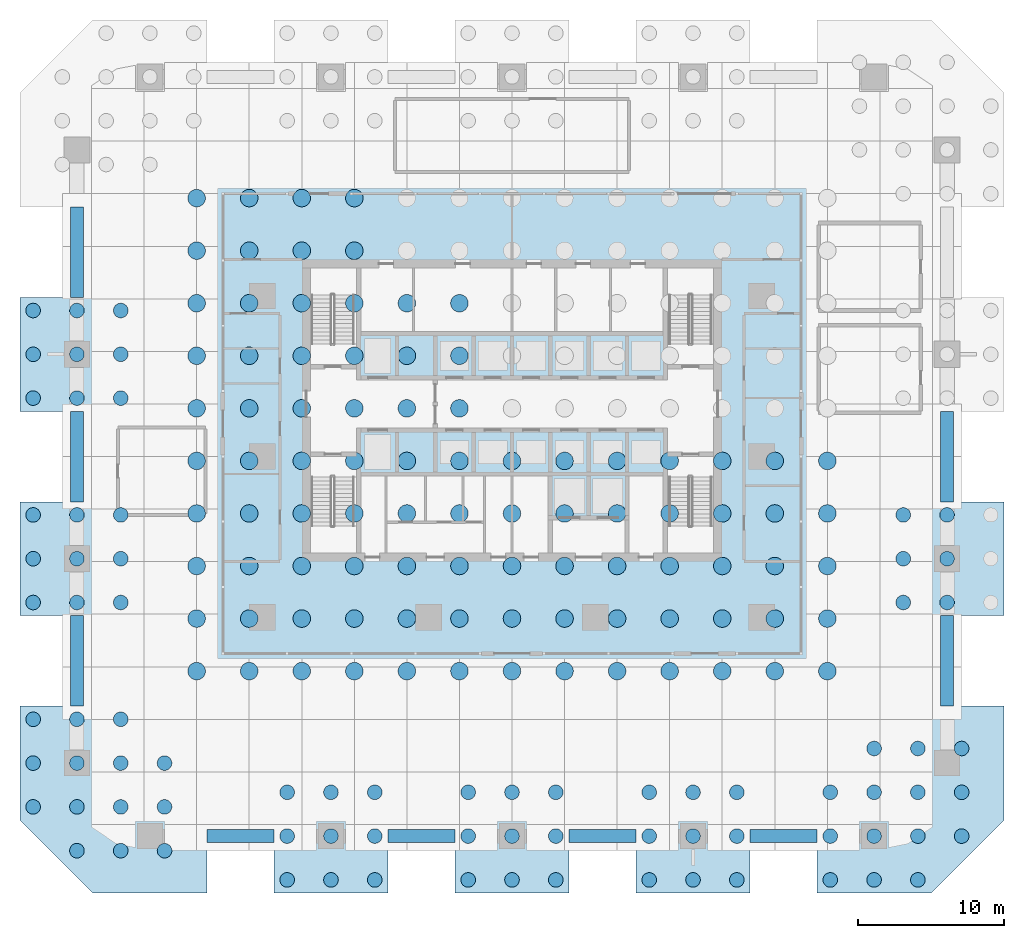
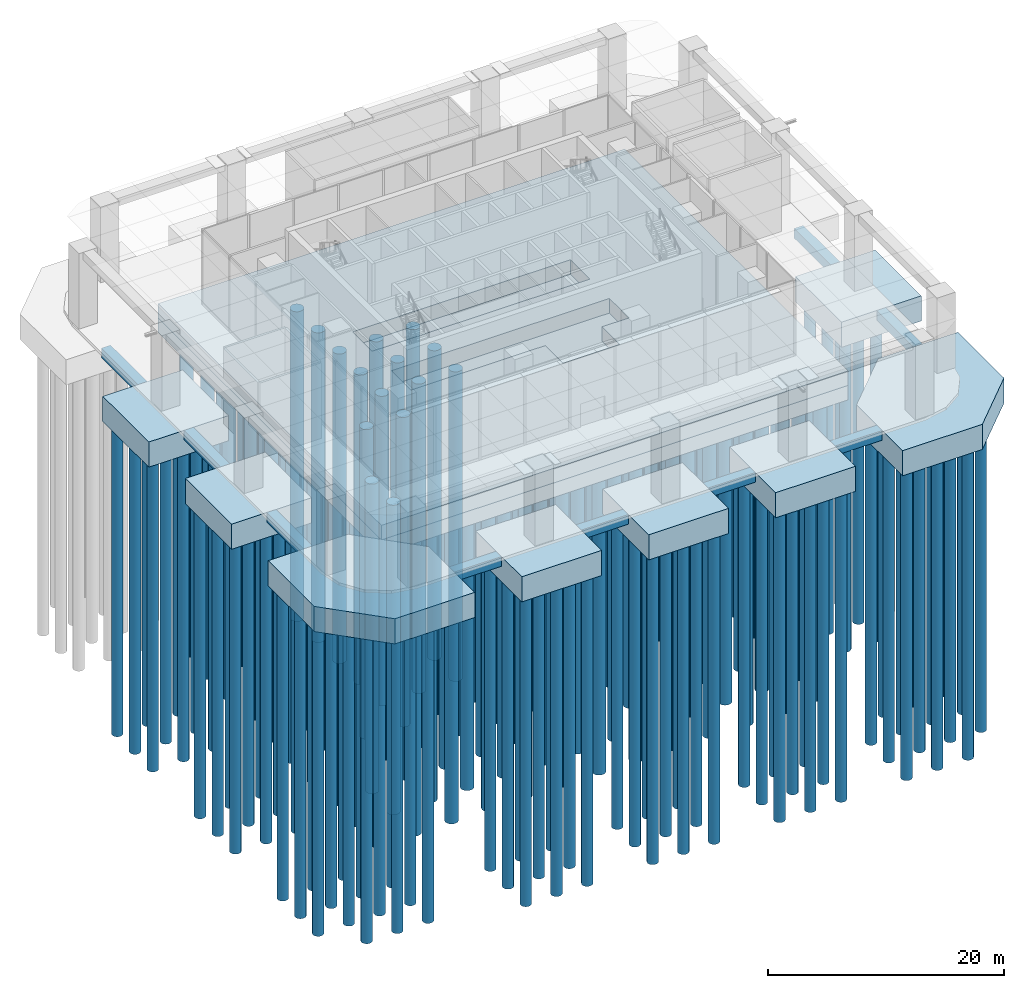
# One storey, part 1 of 18: 170 piles, 19 footings.
"""IFC4 building model written with IfcOpenShell, lengths in metres."""

from ifc_helpers import new_model, si_unit, direction, frame, origin, origin_2d, place, context, subcontext, project, spatial, polyline, circle, outline, extrude, material, layer, layer_set, material_profile, profile_set, type_object, element, save


model = new_model("IFC4")

# Units and contexts
model_context = context("Model", 3, precision=1e-05, world=origin(), true_north=direction((0.0, 1.0)))
body_context = subcontext(model_context, "Body", "Model", "MODEL_VIEW")
ifc_project = project(units=[si_unit("LENGTHUNIT", "METRE"), si_unit("AREAUNIT", "SQUARE_METRE"), si_unit("VOLUMEUNIT", "CUBIC_METRE"), si_unit("PLANEANGLEUNIT", "RADIAN"), si_unit("MASSUNIT", "GRAM", prefix="KILO")], contexts=[model_context])

# Site, building, storey
site_placement = place(None, origin())
site = spatial("IfcSite", under=ifc_project, at=site_placement, CompositionType="ELEMENT")
building_placement = place(site_placement, origin())
building = spatial("IfcBuilding", under=site, at=building_placement, Name="Mopane Tessera Tower", CompositionType="ELEMENT")
storey_placement = place(building_placement, origin())
storey = spatial("IfcBuildingStorey", under=building, at=storey_placement, Name="L00", CompositionType="ELEMENT", Elevation=0.0)

# Piles
ifc_material_1 = material(Name="Concrete C35/45", Category="concrete")
ifc_material_profile_1 = material_profile(ifc_material_1, circle(Radius=0.5, at=origin_2d()))
ifc_profile_set_1 = profile_set([ifc_material_profile_1], Name="Concrete C35/45")
pile_type_1 = type_object("IfcPileType", Name="Bored pile 1000 mm", PredefinedType="BORED", material=ifc_profile_set_1)
for number, where, z_axis, x_axis, name in (
    (1, (-15.39990234375, -29.0, -2.89990234375), (0.0, 0.0, -1.0), (1.0, 0.0, 0.0), "s:pile:S1:-0154:-0290"),
    (2, (-15.39990234375, -26.0, -2.89990234375), (0.0, 0.0, -1.0), (1.0, 0.0, 0.0), "s:pile:S1:-0154:-0260"),
    (3, (-15.39990234375, -23.0, -2.89990234375), (0.0, 0.0, -1.0), (1.0, 0.0, 0.0), "s:pile:S1:-0154:-0230"),
    (4, (-12.39990234375, -29.0, -2.89990234375), (0.0, 0.0, -1.0), (1.0, 0.0, 0.0), "s:pile:S1:-0124:-0290"),
    (5, (-12.39990234375, -26.0, -2.89990234375), (0.0, 0.0, -1.0), (1.0, 0.0, 0.0), "s:pile:S1:-0124:-0260"),
    (6, (-12.39990234375, -23.0, -2.89990234375), (0.0, 0.0, -1.0), (1.0, 0.0, 0.0), "s:pile:S1:-0124:-0230"),
    (7, (-9.39990234375, -29.0, -2.89990234375), (0.0, 0.0, -1.0), (1.0, 0.0, 0.0), "s:pile:S1:-0094:-0290"),
    (8, (-9.39990234375, -26.0, -2.89990234375), (0.0, 0.0, -1.0), (1.0, 0.0, 0.0), "s:pile:S1:-0094:-0260"),
    (9, (-9.39990234375, -23.0, -2.89990234375), (0.0, 0.0, -1.0), (1.0, 0.0, 0.0), "s:pile:S1:-0094:-0230"),
    (10, (-3.0, -29.0, -2.89990234375), (0.0, 0.0, -1.0), (1.0, 0.0, 0.0), "s:pile:S2:-0030:-0290"),
    (11, (-3.0, -26.0, -2.89990234375), (0.0, 0.0, -1.0), (1.0, 0.0, 0.0), "s:pile:S2:-0030:-0260"),
    (12, (-3.0, -23.0, -2.89990234375), (0.0, 0.0, -1.0), (1.0, 0.0, 0.0), "s:pile:S2:-0030:-0230"),
    (13, (0.0, -29.0, -2.89990234375), (0.0, 0.0, -1.0), (1.0, 0.0, 0.0), "s:pile:S2:+0000:-0290"),
    (14, (0.0, -26.0, -2.89990234375), (0.0, 0.0, -1.0), (1.0, 0.0, 0.0), "s:pile:S2:+0000:-0260"),
    (15, (0.0, -23.0, -2.89990234375), (0.0, 0.0, -1.0), (1.0, 0.0, 0.0), "s:pile:S2:+0000:-0230"),
    (16, (3.0, -29.0, -2.89990234375), (0.0, 0.0, -1.0), (1.0, 0.0, 0.0), "s:pile:S2:+0030:-0290"),
    (17, (3.0, -26.0, -2.89990234375), (0.0, 0.0, -1.0), (1.0, 0.0, 0.0), "s:pile:S2:+0030:-0260"),
    (18, (3.0, -23.0, -2.89990234375), (0.0, 0.0, -1.0), (1.0, 0.0, 0.0), "s:pile:S2:+0030:-0230"),
    (19, (9.39990234375, -29.0, -2.89990234375), (0.0, 0.0, -1.0), (1.0, 0.0, 0.0), "s:pile:S3:+0094:-0290"),
    (20, (9.39990234375, -26.0, -2.89990234375), (0.0, 0.0, -1.0), (1.0, 0.0, 0.0), "s:pile:S3:+0094:-0260"),
    (21, (9.39990234375, -23.0, -2.89990234375), (0.0, 0.0, -1.0), (1.0, 0.0, 0.0), "s:pile:S3:+0094:-0230"),
    (22, (12.39990234375, -29.0, -2.89990234375), (0.0, 0.0, -1.0), (1.0, 0.0, 0.0), "s:pile:S3:+0124:-0290"),
    (23, (12.39990234375, -26.0, -2.89990234375), (0.0, 0.0, -1.0), (1.0, 0.0, 0.0), "s:pile:S3:+0124:-0260"),
    (24, (12.39990234375, -23.0, -2.89990234375), (0.0, 0.0, -1.0), (1.0, 0.0, 0.0), "s:pile:S3:+0124:-0230"),
    (25, (15.39990234375, -29.0, -2.89990234375), (0.0, 0.0, -1.0), (1.0, 0.0, 0.0), "s:pile:S3:+0154:-0290"),
    (26, (15.39990234375, -26.0, -2.89990234375), (0.0, 0.0, -1.0), (1.0, 0.0, 0.0), "s:pile:S3:+0154:-0260"),
    (27, (15.39990234375, -23.0, -2.89990234375), (0.0, 0.0, -1.0), (1.0, 0.0, 0.0), "s:pile:S3:+0154:-0230"),
    (28, (26.800048828125, -10.0, -2.89990234375), (0.0, 0.0, -1.0), (1.0, 0.0, 0.0), "s:pile:E1:+0268:-0100"),
    (29, (26.800048828125, -7.0, -2.89990234375), (0.0, 0.0, -1.0), (1.0, 0.0, 0.0), "s:pile:E1:+0268:-0070"),
    (30, (26.800048828125, -4.0, -2.89990234375), (0.0, 0.0, -1.0), (1.0, 0.0, 0.0), "s:pile:E1:+0268:-0040"),
    (31, (29.800048828125, -10.0, -2.89990234375), (0.0, 0.0, -1.0), (1.0, 0.0, 0.0), "s:pile:E1:+0298:-0100"),
    (32, (29.800048828125, -7.0, -2.89990234375), (0.0, 0.0, -1.0), (1.0, 0.0, 0.0), "s:pile:E1:+0298:-0070"),
    (33, (29.800048828125, -4.0, -2.89990234375), (0.0, 0.0, -1.0), (1.0, 0.0, 0.0), "s:pile:E1:+0298:-0040"),
    (34, (-32.800048828125, 4.0, -2.89990234375), (0.0, 0.0, -1.0), (1.0, 0.0, 0.0), "s:pile:W1:-0328:+0040"),
    (35, (-32.800048828125, 7.0, -2.89990234375), (0.0, 0.0, -1.0), (1.0, 0.0, 0.0), "s:pile:W1:-0328:+0070"),
    (36, (-32.800048828125, 10.0, -2.89990234375), (0.0, 0.0, -1.0), (1.0, 0.0, 0.0), "s:pile:W1:-0328:+0100"),
    (37, (-29.800048828125, 4.0, -2.89990234375), (0.0, 0.0, -1.0), (1.0, 0.0, 0.0), "s:pile:W1:-0298:+0040"),
    (38, (-29.800048828125, 7.0, -2.89990234375), (0.0, 0.0, -1.0), (1.0, 0.0, 0.0), "s:pile:W1:-0298:+0070"),
    (39, (-29.800048828125, 10.0, -2.89990234375), (0.0, 0.0, -1.0), (1.0, 0.0, 0.0), "s:pile:W1:-0298:+0100"),
    (40, (-26.800048828125, 4.0, -2.89990234375), (0.0, 0.0, -1.0), (1.0, 0.0, 0.0), "s:pile:W1:-0268:+0040"),
    (41, (-26.800048828125, 7.0, -2.89990234375), (0.0, 0.0, -1.0), (1.0, 0.0, 0.0), "s:pile:W1:-0268:+0070"),
    (42, (-26.800048828125, 10.0, -2.89990234375), (0.0, 0.0, -1.0), (1.0, 0.0, 0.0), "s:pile:W1:-0268:+0100"),
    (43, (-32.800048828125, -10.0, -2.89990234375), (0.0, 0.0, -1.0), (1.0, 0.0, 0.0), "s:pile:W2:-0328:-0100"),
    (44, (-32.800048828125, -7.0, -2.89990234375), (0.0, 0.0, -1.0), (1.0, 0.0, 0.0), "s:pile:W2:-0328:-0070"),
    (45, (-32.800048828125, -4.0, -2.89990234375), (0.0, 0.0, -1.0), (1.0, 0.0, 0.0), "s:pile:W2:-0328:-0040"),
    (46, (-29.800048828125, -10.0, -2.89990234375), (0.0, 0.0, -1.0), (1.0, 0.0, 0.0), "s:pile:W2:-0298:-0100"),
    (47, (-29.800048828125, -7.0, -2.89990234375), (0.0, 0.0, -1.0), (1.0, 0.0, 0.0), "s:pile:W2:-0298:-0070"),
    (48, (-29.800048828125, -4.0, -2.89990234375), (0.0, 0.0, -1.0), (1.0, 0.0, 0.0), "s:pile:W2:-0298:-0040"),
    (49, (-26.800048828125, -10.0, -2.89990234375), (0.0, 0.0, -1.0), (1.0, 0.0, 0.0), "s:pile:W2:-0268:-0100"),
    (50, (-26.800048828125, -7.0, -2.89990234375), (0.0, 0.0, -1.0), (1.0, 0.0, 0.0), "s:pile:W2:-0268:-0070"),
    (51, (-26.800048828125, -4.0, -2.89990234375), (0.0, 0.0, -1.0), (1.0, 0.0, 0.0), "s:pile:W2:-0268:-0040"),
    (52, (21.800048828125, -29.0, -2.89990234375), (0.0, 0.0, -1.0), (1.0, 0.0, 0.0), "s:pile:S4-E0:+0218:-0290"),
    (53, (21.800048828125, -26.0, -2.89990234375), (0.0, 0.0, -1.0), (1.0, 0.0, 0.0), "s:pile:S4-E0:+0218:-0260"),
    (54, (21.800048828125, -23.0, -2.89990234375), (0.0, 0.0, -1.0), (1.0, 0.0, 0.0), "s:pile:S4-E0:+0218:-0230"),
    (55, (24.800048828125, -29.0, -2.89990234375), (0.0, 0.0, -1.0), (1.0, 0.0, 0.0), "s:pile:S4-E0:+0248:-0290"),
    (56, (24.800048828125, -26.0, -2.89990234375), (0.0, 0.0, -1.0), (1.0, 0.0, 0.0), "s:pile:S4-E0:+0248:-0260"),
    (57, (24.800048828125, -23.0, -2.89990234375), (0.0, 0.0, -1.0), (1.0, 0.0, 0.0), "s:pile:S4-E0:+0248:-0230"),
    (58, (24.800048828125, -20.0, -2.89990234375), (0.0, 0.0, -1.0), (1.0, 0.0, 0.0), "s:pile:S4-E0:+0248:-0200"),
    (59, (27.800048828125, -29.0, -2.89990234375), (0.0, 0.0, -1.0), (1.0, 0.0, 0.0), "s:pile:S4-E0:+0278:-0290"),
    (60, (27.800048828125, -26.0, -2.89990234375), (0.0, 0.0, -1.0), (1.0, 0.0, 0.0), "s:pile:S4-E0:+0278:-0260"),
    (61, (27.800048828125, -23.0, -2.89990234375), (0.0, 0.0, -1.0), (1.0, 0.0, 0.0), "s:pile:S4-E0:+0278:-0230"),
    (62, (27.800048828125, -20.0, -2.89990234375), (0.0, 0.0, -1.0), (1.0, 0.0, 0.0), "s:pile:S4-E0:+0278:-0200"),
    (63, (30.800048828125, -26.0, -2.89990234375), (0.0, 0.0, -1.0), (1.0, 0.0, 0.0), "s:pile:S4-E0:+0308:-0260"),
    (64, (30.800048828125, -23.0, -2.89990234375), (0.0, 0.0, -1.0), (1.0, 0.0, 0.0), "s:pile:S4-E0:+0308:-0230"),
    (65, (30.800048828125, -20.0, -2.89990234375), (0.0, 0.0, -1.0), (1.0, 0.0, 0.0), "s:pile:S4-E0:+0308:-0200"),
    (66, (-32.800048828125, -24.0, -2.89990234375), (0.0, 0.0, -1.0), (1.0, 0.0, 0.0), "s:pile:W3-S0:-0328:-0240"),
    (67, (-32.800048828125, -21.0, -2.89990234375), (0.0, 0.0, -1.0), (1.0, 0.0, 0.0), "s:pile:W3-S0:-0328:-0210"),
    (68, (-32.800048828125, -18.0, -2.89990234375), (0.0, 0.0, -1.0), (1.0, 0.0, 0.0), "s:pile:W3-S0:-0328:-0180"),
    (69, (-29.800048828125, -27.0, -2.89990234375), (0.0, 0.0, -1.0), (1.0, 0.0, 0.0), "s:pile:W3-S0:-0298:-0270"),
    (70, (-29.800048828125, -24.0, -2.89990234375), (0.0, 0.0, -1.0), (1.0, 0.0, 0.0), "s:pile:W3-S0:-0298:-0240"),
    (71, (-29.800048828125, -21.0, -2.89990234375), (0.0, 0.0, -1.0), (1.0, 0.0, 0.0), "s:pile:W3-S0:-0298:-0210"),
    (72, (-29.800048828125, -18.0, -2.89990234375), (0.0, 0.0, -1.0), (1.0, 0.0, 0.0), "s:pile:W3-S0:-0298:-0180"),
    (73, (-26.800048828125, -27.0, -2.89990234375), (0.0, 0.0, -1.0), (1.0, 0.0, 0.0), "s:pile:W3-S0:-0268:-0270"),
    (74, (-26.800048828125, -24.0, -2.89990234375), (0.0, 0.0, -1.0), (1.0, 0.0, 0.0), "s:pile:W3-S0:-0268:-0240"),
    (75, (-26.800048828125, -21.0, -2.89990234375), (0.0, 0.0, -1.0), (1.0, 0.0, 0.0), "s:pile:W3-S0:-0268:-0210"),
    (76, (-26.800048828125, -18.0, -2.89990234375), (0.0, 0.0, -1.0), (1.0, 0.0, 0.0), "s:pile:W3-S0:-0268:-0180"),
    (77, (-23.800048828125, -27.0, -2.89990234375), (0.0, 0.0, -1.0), (1.0, 0.0, 0.0), "s:pile:W3-S0:-0238:-0270"),
    (78, (-23.800048828125, -24.0, -2.89990234375), (0.0, 0.0, -1.0), (1.0, 0.0, 0.0), "s:pile:W3-S0:-0238:-0240"),
    (79, (-23.800048828125, -21.0, -2.89990234375), (0.0, 0.0, -1.0), (1.0, 0.0, 0.0), "s:pile:W3-S0:-0238:-0210"),
):
    element("IfcPile", number, at=place(storey_placement, frame(where, z_axis=z_axis, x_axis=x_axis)), inside=storey, type_object=pile_type_1, Name=name, PredefinedType="BORED", context=body_context, shape_type="SweptSolid", body=[
        extrude(circle(Radius=0.5, at=origin_2d()), origin(), (0.0, 0.0, 1.0), 32.0),
    ])
ifc_material_2 = material(Name="Concrete C35/45", Category="concrete")
ifc_material_profile_2 = material_profile(ifc_material_2, circle(Radius=0.60009765625, at=origin_2d()))
ifc_profile_set_2 = profile_set([ifc_material_profile_2], Name="Concrete C35/45")
pile_type_2 = type_object("IfcPileType", Name="Bored pile 1200 mm", PredefinedType="BORED", material=ifc_profile_set_2)
for number, where, z_axis, x_axis, name in (
    (80, (-21.60009765625, -14.699951171875, -3.300048828125), (0.0, 0.0, -1.0), (1.0, 0.0, 0.0), "s:pile:R:00:00"),
    (81, (-21.60009765625, -11.10009765625, -3.300048828125), (0.0, 0.0, -1.0), (1.0, 0.0, 0.0), "s:pile:R:00:01"),
    (82, (-21.60009765625, -7.5, -3.300048828125), (0.0, 0.0, -1.0), (1.0, 0.0, 0.0), "s:pile:R:00:02"),
    (83, (-21.60009765625, -3.89990234375, -3.300048828125), (0.0, 0.0, -1.0), (1.0, 0.0, 0.0), "s:pile:R:00:03"),
    (84, (-21.60009765625, -0.300048828125, -3.300048828125), (0.0, 0.0, -1.0), (1.0, 0.0, 0.0), "s:pile:R:00:04"),
    (85, (-21.60009765625, 3.300048828125, -3.300048828125), (0.0, 0.0, -1.0), (1.0, 0.0, 0.0), "s:pile:R:00:05"),
    (86, (-21.60009765625, 6.89990234375, -3.300048828125), (0.0, 0.0, -1.0), (1.0, 0.0, 0.0), "s:pile:R:00:06"),
    (87, (-21.60009765625, 10.5, -3.300048828125), (0.0, 0.0, -1.0), (1.0, 0.0, 0.0), "s:pile:R:00:07"),
    (88, (-21.60009765625, 14.10009765625, -3.300048828125), (0.0, 0.0, -1.0), (1.0, 0.0, 0.0), "s:pile:R:00:08"),
    (89, (-21.60009765625, 17.699951171875, -3.300048828125), (0.0, 0.0, -1.0), (1.0, 0.0, 0.0), "s:pile:R:00:09"),
    (90, (-18.0, -14.699951171875, -3.300048828125), (0.0, 0.0, -1.0), (1.0, 0.0, 0.0), "s:pile:R:01:00"),
    (91, (-18.0, -11.10009765625, -3.300048828125), (0.0, 0.0, -1.0), (1.0, 0.0, 0.0), "s:pile:R:01:01"),
    (92, (-18.0, -7.5, -3.300048828125), (0.0, 0.0, -1.0), (1.0, 0.0, 0.0), "s:pile:R:01:02"),
    (93, (-18.0, -3.89990234375, -3.300048828125), (0.0, 0.0, -1.0), (1.0, 0.0, 0.0), "s:pile:R:01:03"),
    (94, (-18.0, -0.300048828125, -3.300048828125), (0.0, 0.0, -1.0), (1.0, 0.0, 0.0), "s:pile:R:01:04"),
    (95, (-18.0, 3.300048828125, -3.300048828125), (0.0, 0.0, -1.0), (1.0, 0.0, 0.0), "s:pile:R:01:05"),
    (96, (-18.0, 6.89990234375, -3.300048828125), (0.0, 0.0, -1.0), (1.0, 0.0, 0.0), "s:pile:R:01:06"),
    (97, (-18.0, 10.5, -3.300048828125), (0.0, 0.0, -1.0), (1.0, 0.0, 0.0), "s:pile:R:01:07"),
    (98, (-18.0, 14.10009765625, -3.300048828125), (0.0, 0.0, -1.0), (1.0, 0.0, 0.0), "s:pile:R:01:08"),
    (99, (-18.0, 17.699951171875, -3.300048828125), (0.0, 0.0, -1.0), (1.0, 0.0, 0.0), "s:pile:R:01:09"),
    (100, (-14.39990234375, -14.699951171875, -3.300048828125), (0.0, 0.0, -1.0), (1.0, 0.0, 0.0), "s:pile:R:02:00"),
    (101, (-14.39990234375, -11.10009765625, -3.300048828125), (0.0, 0.0, -1.0), (1.0, 0.0, 0.0), "s:pile:R:02:01"),
    (102, (-14.39990234375, -7.5, -3.300048828125), (0.0, 0.0, -1.0), (1.0, 0.0, 0.0), "s:pile:R:02:02"),
    (103, (-14.39990234375, -3.89990234375, -3.300048828125), (0.0, 0.0, -1.0), (1.0, 0.0, 0.0), "s:pile:R:02:03"),
    (104, (-14.39990234375, -0.300048828125, -3.300048828125), (0.0, 0.0, -1.0), (1.0, 0.0, 0.0), "s:pile:R:02:04"),
    (105, (-14.39990234375, 3.300048828125, -3.300048828125), (0.0, 0.0, -1.0), (1.0, 0.0, 0.0), "s:pile:R:02:05"),
    (106, (-14.39990234375, 6.89990234375, -3.300048828125), (0.0, 0.0, -1.0), (1.0, 0.0, 0.0), "s:pile:R:02:06"),
    (107, (-14.39990234375, 10.5, -3.300048828125), (0.0, 0.0, -1.0), (1.0, 0.0, 0.0), "s:pile:R:02:07"),
    (108, (-14.39990234375, 14.10009765625, -3.300048828125), (0.0, 0.0, -1.0), (1.0, 0.0, 0.0), "s:pile:R:02:08"),
    (109, (-14.39990234375, 17.699951171875, -3.300048828125), (0.0, 0.0, -1.0), (1.0, 0.0, 0.0), "s:pile:R:02:09"),
    (110, (-10.800048828125, -14.699951171875, -3.300048828125), (0.0, 0.0, -1.0), (1.0, 0.0, 0.0), "s:pile:R:03:00"),
    (111, (-10.800048828125, -11.10009765625, -3.300048828125), (0.0, 0.0, -1.0), (1.0, 0.0, 0.0), "s:pile:R:03:01"),
    (112, (-10.800048828125, -7.5, -3.300048828125), (0.0, 0.0, -1.0), (1.0, 0.0, 0.0), "s:pile:R:03:02"),
    (113, (-10.800048828125, -3.89990234375, -3.300048828125), (0.0, 0.0, -1.0), (1.0, 0.0, 0.0), "s:pile:R:03:03"),
    (114, (-10.800048828125, -0.300048828125, -3.300048828125), (0.0, 0.0, -1.0), (1.0, 0.0, 0.0), "s:pile:R:03:04"),
    (115, (-10.800048828125, 3.300048828125, -3.300048828125), (0.0, 0.0, -1.0), (1.0, 0.0, 0.0), "s:pile:R:03:05"),
    (116, (-10.800048828125, 6.89990234375, -3.300048828125), (0.0, 0.0, -1.0), (1.0, 0.0, 0.0), "s:pile:R:03:06"),
    (117, (-10.800048828125, 10.5, -3.300048828125), (0.0, 0.0, -1.0), (1.0, 0.0, 0.0), "s:pile:R:03:07"),
    (118, (-10.800048828125, 14.10009765625, -3.300048828125), (0.0, 0.0, -1.0), (1.0, 0.0, 0.0), "s:pile:R:03:08"),
    (119, (-10.800048828125, 17.699951171875, -3.300048828125), (0.0, 0.0, -1.0), (1.0, 0.0, 0.0), "s:pile:R:03:09"),
    (120, (-7.199951171875, -14.699951171875, -3.300048828125), (0.0, 0.0, -1.0), (1.0, 0.0, 0.0), "s:pile:R:04:00"),
    (121, (-7.199951171875, -11.10009765625, -3.300048828125), (0.0, 0.0, -1.0), (1.0, 0.0, 0.0), "s:pile:R:04:01"),
    (122, (-7.199951171875, -7.5, -3.300048828125), (0.0, 0.0, -1.0), (1.0, 0.0, 0.0), "s:pile:R:04:02"),
    (123, (-7.199951171875, -3.89990234375, -3.300048828125), (0.0, 0.0, -1.0), (1.0, 0.0, 0.0), "s:pile:R:04:03"),
    (124, (-7.199951171875, -0.300048828125, -3.300048828125), (0.0, 0.0, -1.0), (1.0, 0.0, 0.0), "s:pile:R:04:04"),
    (125, (-7.199951171875, 3.300048828125, -3.300048828125), (0.0, 0.0, -1.0), (1.0, 0.0, 0.0), "s:pile:R:04:05"),
    (126, (-7.199951171875, 6.89990234375, -3.300048828125), (0.0, 0.0, -1.0), (1.0, 0.0, 0.0), "s:pile:R:04:06"),
    (127, (-7.199951171875, 10.5, -3.300048828125), (0.0, 0.0, -1.0), (1.0, 0.0, 0.0), "s:pile:R:04:07"),
    (128, (-3.60009765625, -14.699951171875, -3.300048828125), (0.0, 0.0, -1.0), (1.0, 0.0, 0.0), "s:pile:R:05:00"),
    (129, (-3.60009765625, -11.10009765625, -3.300048828125), (0.0, 0.0, -1.0), (1.0, 0.0, 0.0), "s:pile:R:05:01"),
    (130, (-3.60009765625, -7.5, -3.300048828125), (0.0, 0.0, -1.0), (1.0, 0.0, 0.0), "s:pile:R:05:02"),
    (131, (-3.60009765625, -3.89990234375, -3.300048828125), (0.0, 0.0, -1.0), (1.0, 0.0, 0.0), "s:pile:R:05:03"),
    (132, (-3.60009765625, -0.300048828125, -3.300048828125), (0.0, 0.0, -1.0), (1.0, 0.0, 0.0), "s:pile:R:05:04"),
    (133, (-3.60009765625, 3.300048828125, -3.300048828125), (0.0, 0.0, -1.0), (1.0, 0.0, 0.0), "s:pile:R:05:05"),
    (134, (-3.60009765625, 6.89990234375, -3.300048828125), (0.0, 0.0, -1.0), (1.0, 0.0, 0.0), "s:pile:R:05:06"),
    (135, (-3.60009765625, 10.5, -3.300048828125), (0.0, 0.0, -1.0), (1.0, 0.0, 0.0), "s:pile:R:05:07"),
    (136, (0.0, -14.699951171875, -3.300048828125), (0.0, 0.0, -1.0), (1.0, 0.0, 0.0), "s:pile:R:06:00"),
    (137, (0.0, -11.10009765625, -3.300048828125), (0.0, 0.0, -1.0), (1.0, 0.0, 0.0), "s:pile:R:06:01"),
    (138, (0.0, -7.5, -3.300048828125), (0.0, 0.0, -1.0), (1.0, 0.0, 0.0), "s:pile:R:06:02"),
    (139, (0.0, -3.89990234375, -3.300048828125), (0.0, 0.0, -1.0), (1.0, 0.0, 0.0), "s:pile:R:06:03"),
    (140, (0.0, -0.300048828125, -3.300048828125), (0.0, 0.0, -1.0), (1.0, 0.0, 0.0), "s:pile:R:06:04"),
    (141, (3.60009765625, -14.699951171875, -3.300048828125), (0.0, 0.0, -1.0), (1.0, 0.0, 0.0), "s:pile:R:07:00"),
    (142, (3.60009765625, -11.10009765625, -3.300048828125), (0.0, 0.0, -1.0), (1.0, 0.0, 0.0), "s:pile:R:07:01"),
    (143, (3.60009765625, -7.5, -3.300048828125), (0.0, 0.0, -1.0), (1.0, 0.0, 0.0), "s:pile:R:07:02"),
    (144, (3.60009765625, -3.89990234375, -3.300048828125), (0.0, 0.0, -1.0), (1.0, 0.0, 0.0), "s:pile:R:07:03"),
    (145, (3.60009765625, -0.300048828125, -3.300048828125), (0.0, 0.0, -1.0), (1.0, 0.0, 0.0), "s:pile:R:07:04"),
    (146, (7.199951171875, -14.699951171875, -3.300048828125), (0.0, 0.0, -1.0), (1.0, 0.0, 0.0), "s:pile:R:08:00"),
    (147, (7.199951171875, -11.10009765625, -3.300048828125), (0.0, 0.0, -1.0), (1.0, 0.0, 0.0), "s:pile:R:08:01"),
    (148, (7.199951171875, -7.5, -3.300048828125), (0.0, 0.0, -1.0), (1.0, 0.0, 0.0), "s:pile:R:08:02"),
    (149, (7.199951171875, -3.89990234375, -3.300048828125), (0.0, 0.0, -1.0), (1.0, 0.0, 0.0), "s:pile:R:08:03"),
    (150, (7.199951171875, -0.300048828125, -3.300048828125), (0.0, 0.0, -1.0), (1.0, 0.0, 0.0), "s:pile:R:08:04"),
    (151, (10.800048828125, -14.699951171875, -3.300048828125), (0.0, 0.0, -1.0), (1.0, 0.0, 0.0), "s:pile:R:09:00"),
    (152, (10.800048828125, -11.10009765625, -3.300048828125), (0.0, 0.0, -1.0), (1.0, 0.0, 0.0), "s:pile:R:09:01"),
    (153, (10.800048828125, -7.5, -3.300048828125), (0.0, 0.0, -1.0), (1.0, 0.0, 0.0), "s:pile:R:09:02"),
    (154, (10.800048828125, -3.89990234375, -3.300048828125), (0.0, 0.0, -1.0), (1.0, 0.0, 0.0), "s:pile:R:09:03"),
    (155, (10.800048828125, -0.300048828125, -3.300048828125), (0.0, 0.0, -1.0), (1.0, 0.0, 0.0), "s:pile:R:09:04"),
    (156, (14.39990234375, -14.699951171875, -3.300048828125), (0.0, 0.0, -1.0), (1.0, 0.0, 0.0), "s:pile:R:10:00"),
    (157, (14.39990234375, -11.10009765625, -3.300048828125), (0.0, 0.0, -1.0), (1.0, 0.0, 0.0), "s:pile:R:10:01"),
    (158, (14.39990234375, -7.5, -3.300048828125), (0.0, 0.0, -1.0), (1.0, 0.0, 0.0), "s:pile:R:10:02"),
    (159, (14.39990234375, -3.89990234375, -3.300048828125), (0.0, 0.0, -1.0), (1.0, 0.0, 0.0), "s:pile:R:10:03"),
    (160, (14.39990234375, -0.300048828125, -3.300048828125), (0.0, 0.0, -1.0), (1.0, 0.0, 0.0), "s:pile:R:10:04"),
    (161, (18.0, -14.699951171875, -3.300048828125), (0.0, 0.0, -1.0), (1.0, 0.0, 0.0), "s:pile:R:11:00"),
    (162, (18.0, -11.10009765625, -3.300048828125), (0.0, 0.0, -1.0), (1.0, 0.0, 0.0), "s:pile:R:11:01"),
    (163, (18.0, -7.5, -3.300048828125), (0.0, 0.0, -1.0), (1.0, 0.0, 0.0), "s:pile:R:11:02"),
    (164, (18.0, -3.89990234375, -3.300048828125), (0.0, 0.0, -1.0), (1.0, 0.0, 0.0), "s:pile:R:11:03"),
    (165, (18.0, -0.300048828125, -3.300048828125), (0.0, 0.0, -1.0), (1.0, 0.0, 0.0), "s:pile:R:11:04"),
    (166, (21.60009765625, -14.699951171875, -3.300048828125), (0.0, 0.0, -1.0), (1.0, 0.0, 0.0), "s:pile:R:12:00"),
    (167, (21.60009765625, -11.10009765625, -3.300048828125), (0.0, 0.0, -1.0), (1.0, 0.0, 0.0), "s:pile:R:12:01"),
    (168, (21.60009765625, -7.5, -3.300048828125), (0.0, 0.0, -1.0), (1.0, 0.0, 0.0), "s:pile:R:12:02"),
    (169, (21.60009765625, -3.89990234375, -3.300048828125), (0.0, 0.0, -1.0), (1.0, 0.0, 0.0), "s:pile:R:12:03"),
    (170, (21.60009765625, -0.300048828125, -3.300048828125), (0.0, 0.0, -1.0), (1.0, 0.0, 0.0), "s:pile:R:12:04"),
):
    element("IfcPile", number, at=place(storey_placement, frame(where, z_axis=z_axis, x_axis=x_axis)), inside=storey, type_object=pile_type_2, Name=name, PredefinedType="BORED", context=body_context, shape_type="SweptSolid", body=[
        extrude(circle(Radius=0.60009765625, at=origin_2d()), origin(), (0.0, 0.0, 1.0), 32.0),
    ])

# Footings
ifc_material_3 = material(Name="Concrete C40/50", Category="concrete")
ifc_layer_1 = layer(ifc_material_3, 2.60009765625)
ifc_layer_set_1 = layer_set([ifc_layer_1], Name="Concrete C40/50")
footing_type_1 = type_object("IfcFootingType", Name="Corner pile cap 2600 mm", PredefinedType="PILE_CAP", material=ifc_layer_set_1)
footing_1_placement = place(storey_placement, frame((0.0, 0.0, -2.89990234375)))
element("IfcFooting", 171, at=footing_1_placement, inside=storey, type_object=footing_type_1, Name="cap:S4-E0", PredefinedType="PILE_CAP", context=body_context, shape_type="SweptSolid", body=[
    extrude(outline(polyline([(28.699951171875, -29.89990234375), (33.699951171875, -24.89990234375), (33.699951171875, -17.10009765625), (25.89990234375, -17.10009765625), (20.89990234375, -22.10009765625), (20.89990234375, -29.89990234375), (28.699951171875, -29.89990234375)])), origin(), (0.0, 0.0, 1.0), 2.599853515625),
])
footing_2_placement = place(storey_placement, frame((0.0, 0.0, -2.89990234375)))
element("IfcFooting", 172, at=footing_2_placement, inside=storey, type_object=footing_type_1, Name="cap:W3-S0", PredefinedType="PILE_CAP", context=body_context, shape_type="SweptSolid", body=[
    extrude(outline(polyline([(-20.89990234375, -29.89990234375), (-20.89990234375, -22.10009765625), (-25.89990234375, -17.10009765625), (-33.699951171875, -17.10009765625), (-33.699951171875, -24.89990234375), (-28.699951171875, -29.89990234375), (-20.89990234375, -29.89990234375)])), origin(), (0.0, 0.0, 1.0), 2.599853515625),
])
ifc_material_4 = material(Name="Concrete C40/50", Category="concrete")
footing_type_2 = type_object("IfcFootingType", Name="Ground beam 900 MM x 1000 MM", PredefinedType="FOOTING_BEAM", material=ifc_material_4)
footing_3_placement = place(storey_placement, frame((0.0, 0.0, -1.300048828125)))
element("IfcFooting", 173, at=footing_3_placement, inside=storey, type_object=footing_type_2, Name="Ground beam S0-S1", PredefinedType="FOOTING_BEAM", context=body_context, shape_type="SweptSolid", body=[
    extrude(outline(polyline([(-16.300048828125, -25.550048828125), (-20.89990234375, -25.550048828125), (-20.89990234375, -26.449951171875), (-16.300048828125, -26.449951171875), (-16.300048828125, -25.550048828125)])), origin(), (0.0, 0.0, 1.0), 1.0),
])
footing_4_placement = place(storey_placement, frame((0.0, 0.0, -1.300048828125)))
element("IfcFooting", 174, at=footing_4_placement, inside=storey, type_object=footing_type_2, Name="Ground beam S1-S2", PredefinedType="FOOTING_BEAM", context=body_context, shape_type="SweptSolid", body=[
    extrude(outline(polyline([(-3.89990234375, -25.550048828125), (-8.5, -25.550048828125), (-8.5, -26.449951171875), (-3.89990234375, -26.449951171875), (-3.89990234375, -25.550048828125)])), origin(), (0.0, 0.0, 1.0), 1.0),
])
footing_5_placement = place(storey_placement, frame((0.0, 0.0, -1.300048828125)))
element("IfcFooting", 175, at=footing_5_placement, inside=storey, type_object=footing_type_2, Name="Ground beam S2-S3", PredefinedType="FOOTING_BEAM", context=body_context, shape_type="SweptSolid", body=[
    extrude(outline(polyline([(8.5, -25.550048828125), (3.89990234375, -25.550048828125), (3.89990234375, -26.449951171875), (8.5, -26.449951171875), (8.5, -25.550048828125)])), origin(), (0.0, 0.0, 1.0), 1.0),
])
footing_6_placement = place(storey_placement, frame((0.0, 0.0, -1.300048828125)))
element("IfcFooting", 176, at=footing_6_placement, inside=storey, type_object=footing_type_2, Name="Ground beam S3-S4", PredefinedType="FOOTING_BEAM", context=body_context, shape_type="SweptSolid", body=[
    extrude(outline(polyline([(20.89990234375, -25.550048828125), (16.300048828125, -25.550048828125), (16.300048828125, -26.449951171875), (20.89990234375, -26.449951171875), (20.89990234375, -25.550048828125)])), origin(), (0.0, 0.0, 1.0), 1.0),
])
footing_7_placement = place(storey_placement, frame((0.0, 0.0, -1.300048828125)))
element("IfcFooting", 177, at=footing_7_placement, inside=storey, type_object=footing_type_2, Name="Ground beam E0-E1", PredefinedType="FOOTING_BEAM", context=body_context, shape_type="SweptSolid", body=[
    extrude(outline(polyline([(30.25, -10.89990234375), (29.35009765625, -10.89990234375), (29.35009765625, -17.10009765625), (30.25, -17.10009765625), (30.25, -10.89990234375)])), origin(), (0.0, 0.0, 1.0), 1.0),
])
footing_8_placement = place(storey_placement, frame((0.0, 0.0, -1.300048828125)))
element("IfcFooting", 178, at=footing_8_placement, inside=storey, type_object=footing_type_2, Name="Ground beam E1-E2", PredefinedType="FOOTING_BEAM", context=body_context, shape_type="SweptSolid", body=[
    extrude(outline(polyline([(30.25, 3.10009765625), (29.35009765625, 3.10009765625), (29.35009765625, -3.10009765625), (30.25, -3.10009765625), (30.25, 3.10009765625)])), origin(), (0.0, 0.0, 1.0), 1.0),
])
footing_9_placement = place(storey_placement, frame((0.0, 0.0, -1.300048828125)))
element("IfcFooting", 179, at=footing_9_placement, inside=storey, type_object=footing_type_2, Name="Ground beam W0-W1", PredefinedType="FOOTING_BEAM", context=body_context, shape_type="SweptSolid", body=[
    extrude(outline(polyline([(-29.35009765625, 17.10009765625), (-30.25, 17.10009765625), (-30.25, 10.89990234375), (-29.35009765625, 10.89990234375), (-29.35009765625, 17.10009765625)])), origin(), (0.0, 0.0, 1.0), 1.0),
])
footing_10_placement = place(storey_placement, frame((0.0, 0.0, -1.300048828125)))
element("IfcFooting", 180, at=footing_10_placement, inside=storey, type_object=footing_type_2, Name="Ground beam W1-W2", PredefinedType="FOOTING_BEAM", context=body_context, shape_type="SweptSolid", body=[
    extrude(outline(polyline([(-29.35009765625, 3.10009765625), (-30.25, 3.10009765625), (-30.25, -3.10009765625), (-29.35009765625, -3.10009765625), (-29.35009765625, 3.10009765625)])), origin(), (0.0, 0.0, 1.0), 1.0),
])
footing_11_placement = place(storey_placement, frame((0.0, 0.0, -1.300048828125)))
element("IfcFooting", 181, at=footing_11_placement, inside=storey, type_object=footing_type_2, Name="Ground beam W2-W3", PredefinedType="FOOTING_BEAM", context=body_context, shape_type="SweptSolid", body=[
    extrude(outline(polyline([(-29.35009765625, -10.89990234375), (-30.25, -10.89990234375), (-30.25, -17.10009765625), (-29.35009765625, -17.10009765625), (-29.35009765625, -10.89990234375)])), origin(), (0.0, 0.0, 1.0), 1.0),
])
ifc_material_5 = material(Name="Concrete C40/50", Category="concrete")
ifc_layer_2 = layer(ifc_material_5, 2.60009765625)
ifc_layer_set_2 = layer_set([ifc_layer_2], Name="Concrete C40/50")
footing_type_3 = type_object("IfcFootingType", Name="Perimeter pile cap 2600 mm", PredefinedType="PILE_CAP", material=ifc_layer_set_2)
footing_12_placement = place(storey_placement, frame((0.0, 0.0, -2.89990234375)))
element("IfcFooting", 182, at=footing_12_placement, inside=storey, type_object=footing_type_3, Name="cap:S1", PredefinedType="PILE_CAP", context=body_context, shape_type="SweptSolid", body=[
    extrude(outline(polyline([(-8.5, -22.10009765625), (-16.300048828125, -22.10009765625), (-16.300048828125, -29.89990234375), (-8.5, -29.89990234375), (-8.5, -22.10009765625)])), origin(), (0.0, 0.0, 1.0), 2.599853515625),
])
footing_13_placement = place(storey_placement, frame((0.0, 0.0, -2.89990234375)))
element("IfcFooting", 183, at=footing_13_placement, inside=storey, type_object=footing_type_3, Name="cap:S2", PredefinedType="PILE_CAP", context=body_context, shape_type="SweptSolid", body=[
    extrude(outline(polyline([(3.89990234375, -22.10009765625), (-3.89990234375, -22.10009765625), (-3.89990234375, -29.89990234375), (3.89990234375, -29.89990234375), (3.89990234375, -22.10009765625)])), origin(), (0.0, 0.0, 1.0), 2.599853515625),
])
footing_14_placement = place(storey_placement, frame((0.0, 0.0, -2.89990234375)))
element("IfcFooting", 184, at=footing_14_placement, inside=storey, type_object=footing_type_3, Name="cap:S3", PredefinedType="PILE_CAP", context=body_context, shape_type="SweptSolid", body=[
    extrude(outline(polyline([(16.300048828125, -22.10009765625), (8.5, -22.10009765625), (8.5, -29.89990234375), (16.300048828125, -29.89990234375), (16.300048828125, -22.10009765625)])), origin(), (0.0, 0.0, 1.0), 2.599853515625),
])
footing_15_placement = place(storey_placement, frame((0.0, 0.0, -2.89990234375)))
element("IfcFooting", 185, at=footing_15_placement, inside=storey, type_object=footing_type_3, Name="cap:E1", PredefinedType="PILE_CAP", context=body_context, shape_type="SweptSolid", body=[
    extrude(outline(polyline([(33.699951171875, -3.10009765625), (25.89990234375, -3.10009765625), (25.89990234375, -10.89990234375), (33.699951171875, -10.89990234375), (33.699951171875, -3.10009765625)])), origin(), (0.0, 0.0, 1.0), 2.599853515625),
])
footing_16_placement = place(storey_placement, frame((0.0, 0.0, -2.89990234375)))
element("IfcFooting", 186, at=footing_16_placement, inside=storey, type_object=footing_type_3, Name="cap:W1", PredefinedType="PILE_CAP", context=body_context, shape_type="SweptSolid", body=[
    extrude(outline(polyline([(-25.89990234375, 10.89990234375), (-33.699951171875, 10.89990234375), (-33.699951171875, 3.10009765625), (-25.89990234375, 3.10009765625), (-25.89990234375, 10.89990234375)])), origin(), (0.0, 0.0, 1.0), 2.599853515625),
])
footing_17_placement = place(storey_placement, frame((0.0, 0.0, -2.89990234375)))
element("IfcFooting", 187, at=footing_17_placement, inside=storey, type_object=footing_type_3, Name="cap:W2", PredefinedType="PILE_CAP", context=body_context, shape_type="SweptSolid", body=[
    extrude(outline(polyline([(-25.89990234375, -3.10009765625), (-33.699951171875, -3.10009765625), (-33.699951171875, -10.89990234375), (-25.89990234375, -10.89990234375), (-25.89990234375, -3.10009765625)])), origin(), (0.0, 0.0, 1.0), 2.599853515625),
])
ifc_material_6 = material(Name="Concrete C40/50", Category="concrete")
ifc_layer_3 = layer(ifc_material_6, 1.5)
ifc_layer_set_3 = layer_set([ifc_layer_3], Name="Concrete C40/50")
footing_type_4 = type_object("IfcFootingType", Name="Piled raft 1500 mm", PredefinedType="PILE_CAP", material=ifc_layer_set_3)
footing_18_placement = place(storey_placement, frame((0.0, 0.0, -3.300048828125)))
element("IfcFooting", 188, at=footing_18_placement, inside=storey, type_object=footing_type_4, Name="Piled raft lower course", PredefinedType="PILE_CAP", context=body_context, shape_type="SweptSolid", body=[
    extrude(outline(polyline([(22.800048828125, 20.39990234375), (-22.800048828125, 20.39990234375), (-22.800048828125, -17.39990234375), (22.800048828125, -17.39990234375), (22.800048828125, 20.39990234375)])), origin(), (0.0, 0.0, 1.0), 1.5),
])
ifc_material_7 = material(Name="Concrete C40/50", Category="concrete")
ifc_layer_4 = layer(ifc_material_7, 1.5)
ifc_layer_set_4 = layer_set([ifc_layer_4], Name="Concrete C40/50")
footing_type_5 = type_object("IfcFootingType", Name="Raft upper course 1500 mm", PredefinedType="PILE_CAP", material=ifc_layer_set_4)
footing_19_placement = place(storey_placement, frame((0.0, 0.0, -1.800048828125)))
element("IfcFooting", 189, at=footing_19_placement, inside=storey, type_object=footing_type_5, Name="Raft upper course with lift pits", PredefinedType="PILE_CAP", context=body_context, shape_type="SweptSolid", body=[
    extrude(outline(polyline([(22.800048828125, -17.39990234375), (22.800048828125, 20.39990234375), (-22.800048828125, 20.39990234375), (-22.800048828125, -17.39990234375), (22.800048828125, -17.39990234375)]), holes=[polyline([(-10.64990234375, 8.550048828125), (10.64990234375, 8.550048828125), (10.64990234375, 5.25), (-10.64990234375, 5.25), (-10.64990234375, 8.550048828125)]), polyline([(8.02490234375, -4.35009765625), (2.47509765625, -4.35009765625), (2.47509765625, -1.35009765625), (-10.64990234375, -1.35009765625), (-10.64990234375, 1.949951171875), (10.64990234375, 1.949951171875), (10.64990234375, -1.35009765625), (8.02490234375, -1.35009765625), (8.02490234375, -4.35009765625)])]), origin(), (0.0, 0.0, 1.0), 1.5),
])

save(model, "model.ifc")
